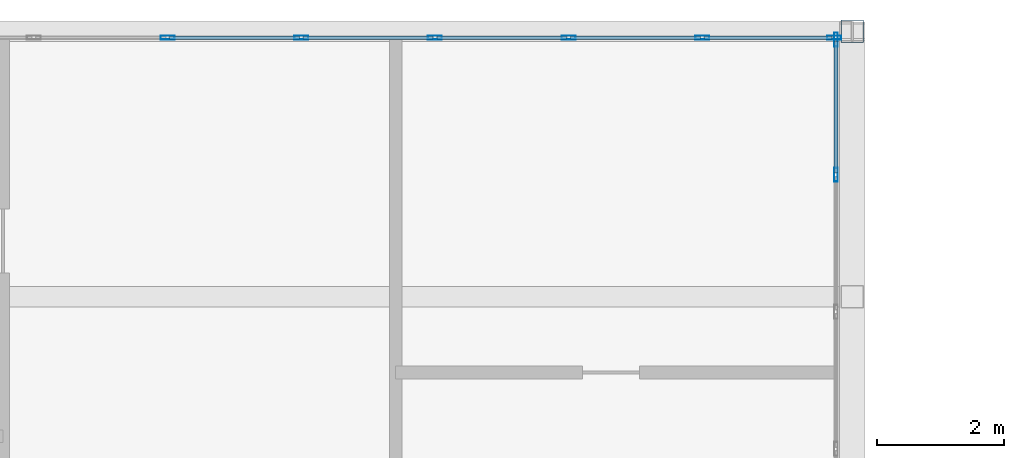
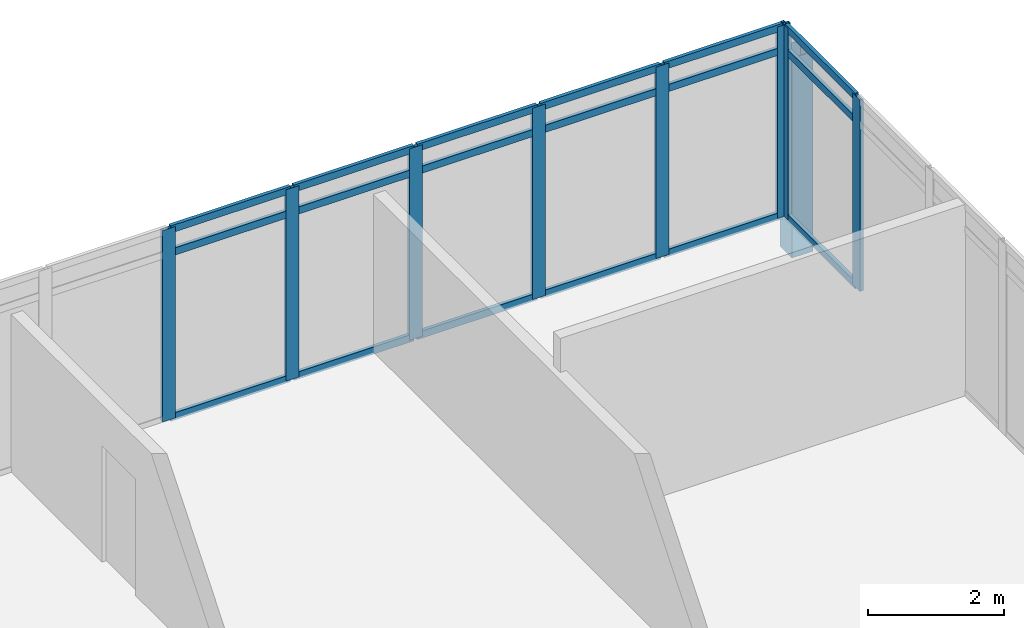
# One storey, part 25 of 34: 27 members, 2 elements without a shape of their own.
"""IFC4 building model written with IfcOpenShell, lengths in metres."""

from ifc_helpers import new_model, si_unit, direction, frame, origin, origin_2d, place, context, subcontext, project, spatial, hollow_rectangle, extrude, material, material_profile, profile_set, type_object, element, aggregate, save


model = new_model("IFC4")

# Units and contexts
model_context = context("Model", 3, precision=1e-05, world=origin(), true_north=direction((0.0, 1.0)))
body_context = subcontext(model_context, "Body", "Model", "MODEL_VIEW")
ifc_project = project(units=[si_unit("LENGTHUNIT", "METRE"), si_unit("AREAUNIT", "SQUARE_METRE"), si_unit("VOLUMEUNIT", "CUBIC_METRE"), si_unit("PLANEANGLEUNIT", "RADIAN"), si_unit("MASSUNIT", "GRAM", prefix="KILO")], contexts=[model_context])

# Site, building, storey
site_placement = place(None, origin())
site = spatial("IfcSite", under=ifc_project, at=site_placement, CompositionType="ELEMENT")
building_placement = place(site_placement, origin())
building = spatial("IfcBuilding", under=site, at=building_placement, Name="Ostrander Bayou Hotel Tower", CompositionType="ELEMENT")
storey_placement = place(building_placement, frame((0.0, 0.0, 222.0)))
storey = spatial("IfcBuildingStorey", under=building, at=storey_placement, Name="L55", CompositionType="ELEMENT", Elevation=222.0)

# Curtain wall, members
ifc_material_1 = material(Name="Aluminium and clear glass", Category="aluminium")
curtain_wall_type = type_object("IfcCurtainWallType", Name="CW-BAR glazed wall", PredefinedType="NOTDEFINED", material=ifc_material_1)
curtain_wall_1_placement = place(storey_placement, origin())
curtain_wall_1 = element("IfcCurtainWall", 1, at=curtain_wall_1_placement, inside=storey, type_object=curtain_wall_type, Name="CW-BAR L55:SB5N:T", PredefinedType="NOTDEFINED")
ifc_material_2 = material(Name="Aluminium", Category="aluminium")
ifc_material_profile_1 = material_profile(ifc_material_2, hollow_rectangle(XDim=0.06005859375, YDim=0.219970703125, WallThickness=0.00390625, at=origin_2d()))
ifc_profile_set_1 = profile_set([ifc_material_profile_1], Name="Aluminium")
member_type_1 = type_object("IfcMemberType", Name="CW-BR mullion 60 x 220 mm", PredefinedType="MULLION", material=ifc_profile_set_1)
member_1_placement = place(storey_placement, frame((0.0, 28.86669921875, 0.0), z_axis=(0.0, 0.0, 1.0), x_axis=(0.0, 1.0, 0.0)))
member_1 = element("IfcMember", 2, at=member_1_placement, type_object=member_type_1, Name="CW-BAR mullion 6", PredefinedType="MULLION", context=body_context, shape_type="SweptSolid", body=[
    extrude(hollow_rectangle(XDim=0.06005859375, YDim=0.219970703125, WallThickness=0.00390625, at=origin_2d()), origin(), (0.0, 0.0, 1.0), 3.449951171875),
])
member_2_placement = place(storey_placement, frame((2.1025390625, 28.86669921875, 0.0), z_axis=(0.0, 0.0, 1.0), x_axis=(0.0, 1.0, 0.0)))
member_2 = element("IfcMember", 3, at=member_2_placement, type_object=member_type_1, Name="CW-BAR mullion 7", PredefinedType="MULLION", context=body_context, shape_type="SweptSolid", body=[
    extrude(hollow_rectangle(XDim=0.06005859375, YDim=0.219970703125, WallThickness=0.00390625, at=origin_2d()), origin(), (0.0, 0.0, 1.0), 3.449951171875),
])
member_3_placement = place(storey_placement, frame((4.204833984375, 28.86669921875, 0.0), z_axis=(0.0, 0.0, 1.0), x_axis=(0.0, 1.0, 0.0)))
member_3 = element("IfcMember", 4, at=member_3_placement, type_object=member_type_1, Name="CW-BAR mullion 8", PredefinedType="MULLION", context=body_context, shape_type="SweptSolid", body=[
    extrude(hollow_rectangle(XDim=0.06005859375, YDim=0.219970703125, WallThickness=0.00390625, at=origin_2d()), origin(), (0.0, 0.0, 1.0), 3.449951171875),
])
member_4_placement = place(storey_placement, frame((6.307373046875, 28.86669921875, 0.0), z_axis=(0.0, 0.0, 1.0), x_axis=(0.0, 1.0, 0.0)))
member_4 = element("IfcMember", 5, at=member_4_placement, type_object=member_type_1, Name="CW-BAR mullion 9", PredefinedType="MULLION", context=body_context, shape_type="SweptSolid", body=[
    extrude(hollow_rectangle(XDim=0.06005859375, YDim=0.219970703125, WallThickness=0.00390625, at=origin_2d()), origin(), (0.0, 0.0, 1.0), 3.449951171875),
])
member_5_placement = place(storey_placement, frame((8.40966796875, 28.86669921875, 0.0), z_axis=(0.0, 0.0, 1.0), x_axis=(0.0, 1.0, 0.0)))
member_5 = element("IfcMember", 6, at=member_5_placement, type_object=member_type_1, Name="CW-BAR mullion 10", PredefinedType="MULLION", context=body_context, shape_type="SweptSolid", body=[
    extrude(hollow_rectangle(XDim=0.06005859375, YDim=0.219970703125, WallThickness=0.00390625, at=origin_2d()), origin(), (0.0, 0.0, 1.0), 3.449951171875),
])
member_6_placement = place(storey_placement, frame((10.482177734375, 28.86669921875, 0.0), z_axis=(0.0, 0.0, 1.0), x_axis=(0.0, 1.0, 0.0)))
member_6 = element("IfcMember", 7, at=member_6_placement, type_object=member_type_1, Name="CW-BAR mullion 11", PredefinedType="MULLION", context=body_context, shape_type="SweptSolid", body=[
    extrude(hollow_rectangle(XDim=0.06005859375, YDim=0.219970703125, WallThickness=0.00390625, at=origin_2d()), origin(), (0.0, 0.0, 1.0), 3.449951171875),
])

curtain_wall_2_placement = place(storey_placement, origin())
curtain_wall_2 = element("IfcCurtainWall", 8, at=curtain_wall_2_placement, inside=storey, type_object=curtain_wall_type, Name="CW-BAR L55:SB5N:W", PredefinedType="NOTDEFINED")
member_7_placement = place(storey_placement, frame((10.51220703125, 26.7109375, 0.0), z_axis=(0.0, 0.0, 1.0), x_axis=(-1.0, 0.0, 0.0)))
member_7 = element("IfcMember", 9, at=member_7_placement, type_object=member_type_1, Name="CW-BAR mullion 9", PredefinedType="MULLION", context=body_context, shape_type="SweptSolid", body=[
    extrude(hollow_rectangle(XDim=0.06005859375, YDim=0.219970703125, WallThickness=0.00390625, at=origin_2d()), origin(), (0.0, 0.0, 1.0), 3.449951171875),
])
member_8_placement = place(storey_placement, frame((10.51220703125, 28.836669921875, 0.0), z_axis=(0.0, 0.0, 1.0), x_axis=(-1.0, 0.0, 0.0)))
member_8 = element("IfcMember", 10, at=member_8_placement, type_object=member_type_1, Name="CW-BAR mullion 10", PredefinedType="MULLION", context=body_context, shape_type="SweptSolid", body=[
    extrude(hollow_rectangle(XDim=0.06005859375, YDim=0.219970703125, WallThickness=0.00390625, at=origin_2d()), origin(), (0.0, 0.0, 1.0), 3.449951171875),
])

# Member
ifc_material_3 = material(Name="Aluminium", Category="aluminium")
ifc_material_profile_2 = material_profile(ifc_material_3, hollow_rectangle(XDim=0.06005859375, YDim=0.1298828125, WallThickness=0.00390625, at=origin_2d()))
ifc_profile_set_2 = profile_set([ifc_material_profile_2], Name="Aluminium")
member_type_2 = type_object("IfcMemberType", Name="CW-BR transom 60 x 130 mm", PredefinedType="USERDEFINED", material=ifc_profile_set_2)
member_9_placement = place(storey_placement, frame((0.030029296875, 28.86669921875, 0.030029296875), z_axis=(1.0, 0.0, 0.0), x_axis=(0.0, 1.0, 0.0)))
member_9 = element("IfcMember", 11, at=member_9_placement, type_object=member_type_2, Name="CW-BAR transom 6.1", ObjectType="TRANSOM", PredefinedType="USERDEFINED", context=body_context, shape_type="SweptSolid", body=[
    extrude(hollow_rectangle(XDim=0.06005859375, YDim=0.1298828125, WallThickness=0.00390625, at=origin_2d()), origin(), (0.0, 0.0, 1.0), 2.04248046875),
])

member_10_placement = place(storey_placement, frame((0.030029296875, 28.86669921875, 3.0), z_axis=(1.0, 0.0, 0.0), x_axis=(0.0, 1.0, 0.0)))
member_10 = element("IfcMember", 12, at=member_10_placement, type_object=member_type_2, Name="CW-BAR transom 6.2", ObjectType="TRANSOM", PredefinedType="USERDEFINED", context=body_context, shape_type="SweptSolid", body=[
    extrude(hollow_rectangle(XDim=0.06005859375, YDim=0.1298828125, WallThickness=0.00390625, at=origin_2d()), origin(), (0.0, 0.0, 1.0), 2.04248046875),
])

member_11_placement = place(storey_placement, frame((0.030029296875, 28.86669921875, 3.419921875), z_axis=(1.0, 0.0, 0.0), x_axis=(0.0, 1.0, 0.0)))
member_11 = element("IfcMember", 13, at=member_11_placement, type_object=member_type_2, Name="CW-BAR transom 6.3", ObjectType="TRANSOM", PredefinedType="USERDEFINED", context=body_context, shape_type="SweptSolid", body=[
    extrude(hollow_rectangle(XDim=0.06005859375, YDim=0.1298828125, WallThickness=0.00390625, at=origin_2d()), origin(), (0.0, 0.0, 1.0), 2.04248046875),
])

member_12_placement = place(storey_placement, frame((2.13232421875, 28.86669921875, 0.030029296875), z_axis=(1.0, 0.0, 0.0), x_axis=(0.0, 1.0, 0.0)))
member_12 = element("IfcMember", 14, at=member_12_placement, type_object=member_type_2, Name="CW-BAR transom 7.1", ObjectType="TRANSOM", PredefinedType="USERDEFINED", context=body_context, shape_type="SweptSolid", body=[
    extrude(hollow_rectangle(XDim=0.06005859375, YDim=0.1298828125, WallThickness=0.00390625, at=origin_2d()), origin(), (0.0, 0.0, 1.0), 2.04248046875),
])

member_13_placement = place(storey_placement, frame((2.13232421875, 28.86669921875, 3.0), z_axis=(1.0, 0.0, 0.0), x_axis=(0.0, 1.0, 0.0)))
member_13 = element("IfcMember", 15, at=member_13_placement, type_object=member_type_2, Name="CW-BAR transom 7.2", ObjectType="TRANSOM", PredefinedType="USERDEFINED", context=body_context, shape_type="SweptSolid", body=[
    extrude(hollow_rectangle(XDim=0.06005859375, YDim=0.1298828125, WallThickness=0.00390625, at=origin_2d()), origin(), (0.0, 0.0, 1.0), 2.04248046875),
])

member_14_placement = place(storey_placement, frame((2.13232421875, 28.86669921875, 3.419921875), z_axis=(1.0, 0.0, 0.0), x_axis=(0.0, 1.0, 0.0)))
member_14 = element("IfcMember", 16, at=member_14_placement, type_object=member_type_2, Name="CW-BAR transom 7.3", ObjectType="TRANSOM", PredefinedType="USERDEFINED", context=body_context, shape_type="SweptSolid", body=[
    extrude(hollow_rectangle(XDim=0.06005859375, YDim=0.1298828125, WallThickness=0.00390625, at=origin_2d()), origin(), (0.0, 0.0, 1.0), 2.04248046875),
])

member_15_placement = place(storey_placement, frame((4.23486328125, 28.86669921875, 0.030029296875), z_axis=(1.0, 0.0, 0.0), x_axis=(0.0, 1.0, 0.0)))
member_15 = element("IfcMember", 17, at=member_15_placement, type_object=member_type_2, Name="CW-BAR transom 8.1", ObjectType="TRANSOM", PredefinedType="USERDEFINED", context=body_context, shape_type="SweptSolid", body=[
    extrude(hollow_rectangle(XDim=0.06005859375, YDim=0.1298828125, WallThickness=0.00390625, at=origin_2d()), origin(), (0.0, 0.0, 1.0), 2.04248046875),
])

member_16_placement = place(storey_placement, frame((4.23486328125, 28.86669921875, 3.0), z_axis=(1.0, 0.0, 0.0), x_axis=(0.0, 1.0, 0.0)))
member_16 = element("IfcMember", 18, at=member_16_placement, type_object=member_type_2, Name="CW-BAR transom 8.2", ObjectType="TRANSOM", PredefinedType="USERDEFINED", context=body_context, shape_type="SweptSolid", body=[
    extrude(hollow_rectangle(XDim=0.06005859375, YDim=0.1298828125, WallThickness=0.00390625, at=origin_2d()), origin(), (0.0, 0.0, 1.0), 2.04248046875),
])

member_17_placement = place(storey_placement, frame((4.23486328125, 28.86669921875, 3.419921875), z_axis=(1.0, 0.0, 0.0), x_axis=(0.0, 1.0, 0.0)))
member_17 = element("IfcMember", 19, at=member_17_placement, type_object=member_type_2, Name="CW-BAR transom 8.3", ObjectType="TRANSOM", PredefinedType="USERDEFINED", context=body_context, shape_type="SweptSolid", body=[
    extrude(hollow_rectangle(XDim=0.06005859375, YDim=0.1298828125, WallThickness=0.00390625, at=origin_2d()), origin(), (0.0, 0.0, 1.0), 2.04248046875),
])

member_18_placement = place(storey_placement, frame((6.33740234375, 28.86669921875, 0.030029296875), z_axis=(1.0, 0.0, 0.0), x_axis=(0.0, 1.0, 0.0)))
member_18 = element("IfcMember", 20, at=member_18_placement, type_object=member_type_2, Name="CW-BAR transom 9.1", ObjectType="TRANSOM", PredefinedType="USERDEFINED", context=body_context, shape_type="SweptSolid", body=[
    extrude(hollow_rectangle(XDim=0.06005859375, YDim=0.1298828125, WallThickness=0.00390625, at=origin_2d()), origin(), (0.0, 0.0, 1.0), 2.042236328125),
])

member_19_placement = place(storey_placement, frame((6.33740234375, 28.86669921875, 3.0), z_axis=(1.0, 0.0, 0.0), x_axis=(0.0, 1.0, 0.0)))
member_19 = element("IfcMember", 21, at=member_19_placement, type_object=member_type_2, Name="CW-BAR transom 9.2", ObjectType="TRANSOM", PredefinedType="USERDEFINED", context=body_context, shape_type="SweptSolid", body=[
    extrude(hollow_rectangle(XDim=0.06005859375, YDim=0.1298828125, WallThickness=0.00390625, at=origin_2d()), origin(), (0.0, 0.0, 1.0), 2.042236328125),
])

member_20_placement = place(storey_placement, frame((6.33740234375, 28.86669921875, 3.419921875), z_axis=(1.0, 0.0, 0.0), x_axis=(0.0, 1.0, 0.0)))
member_20 = element("IfcMember", 22, at=member_20_placement, type_object=member_type_2, Name="CW-BAR transom 9.3", ObjectType="TRANSOM", PredefinedType="USERDEFINED", context=body_context, shape_type="SweptSolid", body=[
    extrude(hollow_rectangle(XDim=0.06005859375, YDim=0.1298828125, WallThickness=0.00390625, at=origin_2d()), origin(), (0.0, 0.0, 1.0), 2.042236328125),
])

member_21_placement = place(storey_placement, frame((8.439697265625, 28.86669921875, 0.030029296875), z_axis=(1.0, 0.0, 0.0), x_axis=(0.0, 1.0, 0.0)))
member_21 = element("IfcMember", 23, at=member_21_placement, type_object=member_type_2, Name="CW-BAR transom 10.1", ObjectType="TRANSOM", PredefinedType="USERDEFINED", context=body_context, shape_type="SweptSolid", body=[
    extrude(hollow_rectangle(XDim=0.06005859375, YDim=0.1298828125, WallThickness=0.00390625, at=origin_2d()), origin(), (0.0, 0.0, 1.0), 2.012451171875),
])

member_22_placement = place(storey_placement, frame((8.439697265625, 28.86669921875, 3.0), z_axis=(1.0, 0.0, 0.0), x_axis=(0.0, 1.0, 0.0)))
member_22 = element("IfcMember", 24, at=member_22_placement, type_object=member_type_2, Name="CW-BAR transom 10.2", ObjectType="TRANSOM", PredefinedType="USERDEFINED", context=body_context, shape_type="SweptSolid", body=[
    extrude(hollow_rectangle(XDim=0.06005859375, YDim=0.1298828125, WallThickness=0.00390625, at=origin_2d()), origin(), (0.0, 0.0, 1.0), 2.012451171875),
])

member_23_placement = place(storey_placement, frame((8.439697265625, 28.86669921875, 3.419921875), z_axis=(1.0, 0.0, 0.0), x_axis=(0.0, 1.0, 0.0)))
member_23 = element("IfcMember", 25, at=member_23_placement, type_object=member_type_2, Name="CW-BAR transom 10.3", ObjectType="TRANSOM", PredefinedType="USERDEFINED", context=body_context, shape_type="SweptSolid", body=[
    extrude(hollow_rectangle(XDim=0.06005859375, YDim=0.1298828125, WallThickness=0.00390625, at=origin_2d()), origin(), (0.0, 0.0, 1.0), 2.012451171875),
])

aggregate(curtain_wall_1, [member_1, member_2, member_3, member_4, member_5, member_6, member_9, member_10, member_11, member_12, member_13, member_14, member_15, member_16, member_17, member_18, member_19, member_20, member_21, member_22, member_23])

member_24_placement = place(storey_placement, frame((10.51220703125, 26.740966796875, 0.030029296875), z_axis=(0.0, 1.0, 0.0), x_axis=(-1.0, 0.0, 0.0)))
member_24 = element("IfcMember", 26, at=member_24_placement, type_object=member_type_2, Name="CW-BAR transom 9.1", ObjectType="TRANSOM", PredefinedType="USERDEFINED", context=body_context, shape_type="SweptSolid", body=[
    extrude(hollow_rectangle(XDim=0.06005859375, YDim=0.1298828125, WallThickness=0.00390625, at=origin_2d()), origin(), (0.0, 0.0, 1.0), 2.065673828125),
])

member_25_placement = place(storey_placement, frame((10.51220703125, 26.740966796875, 3.0), z_axis=(0.0, 1.0, 0.0), x_axis=(-1.0, 0.0, 0.0)))
member_25 = element("IfcMember", 27, at=member_25_placement, type_object=member_type_2, Name="CW-BAR transom 9.2", ObjectType="TRANSOM", PredefinedType="USERDEFINED", context=body_context, shape_type="SweptSolid", body=[
    extrude(hollow_rectangle(XDim=0.06005859375, YDim=0.1298828125, WallThickness=0.00390625, at=origin_2d()), origin(), (0.0, 0.0, 1.0), 2.065673828125),
])

member_26_placement = place(storey_placement, frame((10.51220703125, 26.740966796875, 3.419921875), z_axis=(0.0, 1.0, 0.0), x_axis=(-1.0, 0.0, 0.0)))
member_26 = element("IfcMember", 28, at=member_26_placement, type_object=member_type_2, Name="CW-BAR transom 9.3", ObjectType="TRANSOM", PredefinedType="USERDEFINED", context=body_context, shape_type="SweptSolid", body=[
    extrude(hollow_rectangle(XDim=0.06005859375, YDim=0.1298828125, WallThickness=0.00390625, at=origin_2d()), origin(), (0.0, 0.0, 1.0), 2.065673828125),
])

aggregate(curtain_wall_2, [member_7, member_8, member_24, member_25, member_26])

ifc_material_4 = material(Name="Steel ASTM A500 Gr C", Category="steel")
ifc_material_profile_3 = material_profile(ifc_material_4, hollow_rectangle(XDim=0.355712890625, YDim=0.355712890625, WallThickness=0.0087890625, at=origin_2d()))
ifc_profile_set_3 = profile_set([ifc_material_profile_3], Name="Steel ASTM A500 Gr C")
member_type_3 = type_object("IfcMemberType", Name="TH3 bar hanger HSS14x14x3/8", PredefinedType="POST", material=ifc_profile_set_3)
member_27_placement = place(storey_placement, frame((10.764892578125, 28.966552734375, -0.760986328125), z_axis=(0.0, 0.0, 1.0), x_axis=(1.0, 0.0, 0.0)))
element("IfcMember", 29, at=member_27_placement, inside=storey, type_object=member_type_3, Name="TH3 SB5WB H1-1", PredefinedType="POST", context=body_context, shape_type="SweptSolid", body=[
    extrude(hollow_rectangle(XDim=0.355712890625, YDim=0.355712890625, WallThickness=0.0087890625, at=origin_2d()), origin(), (0.0, 0.0, 1.0), 3.599853515625),
])

save(model, "model.ifc")
